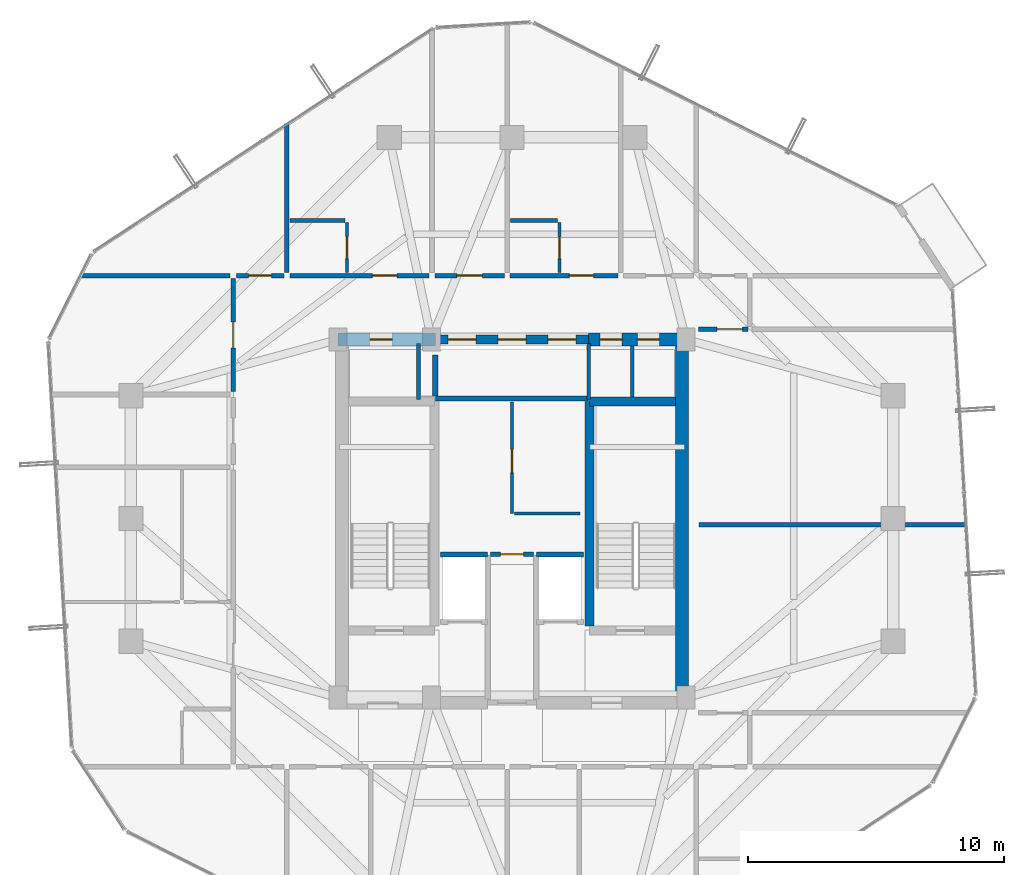
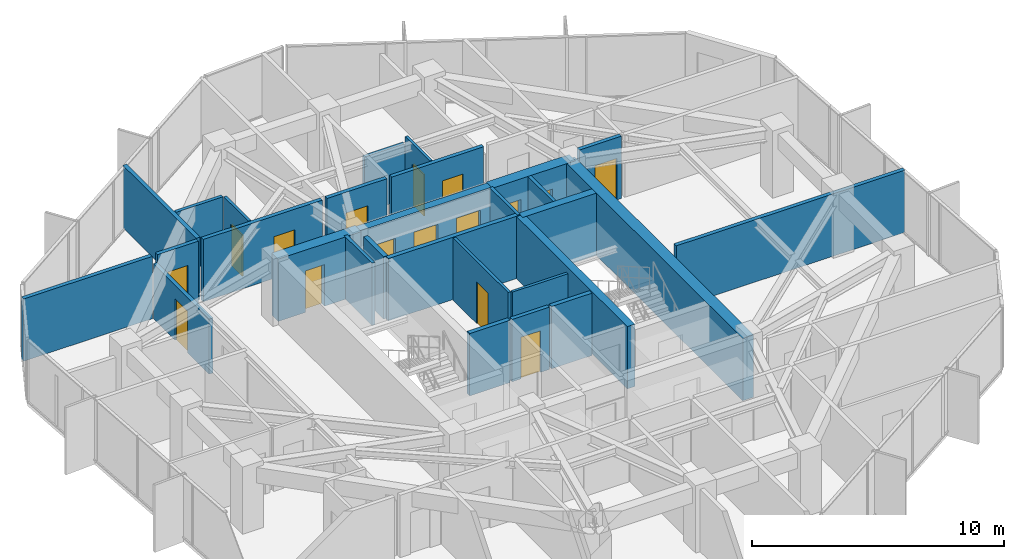
# One storey, part 30 of 33: 29 walls, 16 doors, 16 openings.
"""IFC4 building model written with IfcOpenShell, lengths in metres."""

from ifc_helpers import new_model, si_unit, direction, frame, frame_2d, origin, place, context, subcontext, project, spatial, rectangle, extrude, source, transform, mapped, material, layer, layer_set, type_object, element, fill, save


model = new_model("IFC4")

# Units and contexts
model_context = context("Model", 3, precision=1e-05, world=origin(), true_north=direction((0.0, 1.0)))
body_context = subcontext(model_context, "Body", "Model", "MODEL_VIEW")
ifc_project = project(units=[si_unit("LENGTHUNIT", "METRE"), si_unit("AREAUNIT", "SQUARE_METRE"), si_unit("VOLUMEUNIT", "CUBIC_METRE"), si_unit("PLANEANGLEUNIT", "RADIAN"), si_unit("MASSUNIT", "GRAM", prefix="KILO")], contexts=[model_context])

# Site, building, storey
site_placement = place(None, origin())
site = spatial("IfcSite", under=ifc_project, at=site_placement, CompositionType="ELEMENT")
building_placement = place(site_placement, origin())
building = spatial("IfcBuilding", under=site, at=building_placement, Name="Veraguas Prism Commons", CompositionType="ELEMENT")
storey_placement = place(building_placement, frame((0.0, 0.0, 195.10009765625)))
storey = spatial("IfcBuildingStorey", under=building, at=storey_placement, Name="L55", CompositionType="ELEMENT", Elevation=195.10009765625)

# Wall, openings, doors
ifc_material_1 = material(Name="Concrete C50/60", Category="concrete")
ifc_layer_1 = layer(ifc_material_1, 0.35009765625, Name="Core Internal Shear Wall Upper RC 350", Category="concrete")
ifc_layer_set_1 = layer_set([ifc_layer_1], Name="Concrete C50/60")
wall_type_1 = type_object("IfcWallType", Name="Core Internal Shear Wall Upper RC 350", PredefinedType="SHEAR", material=ifc_layer_set_1)
wall_1_placement = place(storey_placement, frame((21.0, 31.0, 0.0), z_axis=(0.0, 0.0, 1.0), x_axis=(1.0, 0.0, 0.0)))
wall_1 = element("IfcWall", 1, at=wall_1_placement, inside=storey, type_object=wall_type_1, Name="High-Rise Lift Bank Front Shear Wall L55", PredefinedType="SHEAR", context=body_context, shape_type="SweptSolid", body=[
    extrude(rectangle(XDim=6.0, YDim=0.35009765625, at=frame_2d((3.0, 0.0))), origin(), (0.0, 0.0, 1.0), 3.014892578125),
])
opening_1_placement = place(wall_1_placement, frame((0.5, 0.0, 0.0)))
opening_1 = element("IfcOpeningElement", 2, at=opening_1_placement, cuts=wall_1, Name="Opening LD-01", PredefinedType="OPENING", context=body_context, shape_type="SweptSolid", body=[
    extrude(rectangle(XDim=1.10009765625, YDim=2.080078125, at=frame_2d((0.550048828125, 1.0400390625))), frame((0.0, 0.18505859375, 0.0), z_axis=(0.0, -1.0, 0.0), x_axis=(1.0, 0.0, 0.0)), (0.0, 0.0, 1.0), 0.3701171875),
])
opening_2_placement = place(wall_1_placement, frame((2.449951171875, 0.0, 0.0)))
opening_2 = element("IfcOpeningElement", 3, at=opening_2_placement, cuts=wall_1, Name="Opening LD-01", PredefinedType="OPENING", context=body_context, shape_type="SweptSolid", body=[
    extrude(rectangle(XDim=1.10009765625, YDim=2.080078125, at=frame_2d((0.550048828125, 1.0400390625))), frame((0.0, 0.18505859375, 0.0), z_axis=(0.0, -1.0, 0.0), x_axis=(1.0, 0.0, 0.0)), (0.0, 0.0, 1.0), 0.3701171875),
])
opening_3_placement = place(wall_1_placement, frame((4.39990234375, 0.0, 0.0)))
opening_3 = element("IfcOpeningElement", 4, at=opening_3_placement, cuts=wall_1, Name="Opening LD-01", PredefinedType="OPENING", context=body_context, shape_type="SweptSolid", body=[
    extrude(rectangle(XDim=1.10009765625, YDim=2.080078125, at=frame_2d((0.550048828125, 1.0400390625))), frame((0.0, 0.18505859375, 0.0), z_axis=(0.0, -1.0, 0.0), x_axis=(1.0, 0.0, 0.0)), (0.0, 0.0, 1.0), 0.3701171875),
])
ifc_material_2 = material(Name="Stainless steel AISI 316", Category="steel")
door_type_1 = type_object("IfcDoorType", Name="Passenger Lift Sliding Landing Door 1100x2080", OperationType="NOTDEFINED", PredefinedType="DOOR", material=ifc_material_2)
shared_shape_1 = source(origin(), body_context, "Body", "SweptSolid", [
    extrude(rectangle(XDim=1.10009765625, YDim=2.080078125, at=frame_2d((0.550048828125, 1.0400390625))), frame((0.0, 0.02490234375, 0.0), z_axis=(0.0, -1.0, 0.0), x_axis=(1.0, 0.0, 0.0)), (0.0, 0.0, 1.0), 0.050048828125),
])
door_1_placement = place(opening_1_placement, origin())
door_1 = element("IfcDoor", 5, at=door_1_placement, inside=storey, type_object=door_type_1, Name="Sliding Landing Door PL-H1 L55", OperationType="SLIDING_TO_LEFT", OverallHeight=2.080078125, OverallWidth=1.10009765625, PredefinedType="DOOR", context=body_context, shape_type="MappedRepresentation", body=[
    mapped(shared_shape_1, transform((0.0, 0.0, 0.0), scale=1.0)),
])
fill(opening_1, door_1)
door_2_placement = place(opening_2_placement, origin())
door_2 = element("IfcDoor", 6, at=door_2_placement, inside=storey, type_object=door_type_1, Name="Sliding Landing Door PL-H2 L55", OperationType="SLIDING_TO_LEFT", OverallHeight=2.080078125, OverallWidth=1.10009765625, PredefinedType="DOOR", context=body_context, shape_type="MappedRepresentation", body=[
    mapped(shared_shape_1, transform((0.0, 0.0, 0.0), scale=1.0)),
])
fill(opening_2, door_2)
door_3_placement = place(opening_3_placement, origin())
door_3 = element("IfcDoor", 7, at=door_3_placement, inside=storey, type_object=door_type_1, Name="Sliding Landing Door PL-H3 L55", OperationType="SLIDING_TO_LEFT", OverallHeight=2.080078125, OverallWidth=1.10009765625, PredefinedType="DOOR", context=body_context, shape_type="MappedRepresentation", body=[
    mapped(shared_shape_1, transform((0.0, 0.0, 0.0), scale=1.0)),
])
fill(opening_3, door_3)

# Walls
wall_2_placement = place(storey_placement, frame((27.02490234375, 19.800048828125, 0.0), z_axis=(0.0, 0.0, 1.0), x_axis=(0.0, 1.0, 0.0)))
element("IfcWall", 8, at=wall_2_placement, inside=storey, type_object=wall_type_1, Name="Stair ST-02 Inner Shear Wall L55", PredefinedType="SHEAR", context=body_context, shape_type="SweptSolid", body=[
    extrude(rectangle(XDim=8.77490234375, YDim=0.35009765625, at=frame_2d((4.387451171875, 0.0))), origin(), (0.0, 0.0, 1.0), 3.014892578125),
])
wall_3_placement = place(storey_placement, frame((27.02490234375, 28.574951171875, 0.0), z_axis=(0.0, 0.0, 1.0), x_axis=(1.0, 0.0, 0.0)))
element("IfcWall", 9, at=wall_3_placement, inside=storey, type_object=wall_type_1, Name="Stair ST-02 North Shear Wall L55", PredefinedType="SHEAR", context=body_context, shape_type="SweptSolid", body=[
    extrude(rectangle(XDim=3.375, YDim=0.35009765625, at=frame_2d((1.6875, 0.0))), origin(), (0.0, 0.0, 1.0), 3.014892578125),
])
ifc_layer_2 = layer(ifc_material_1, 0.5, Name="Core Outer Shear Wall Upper RC 500", Category="concrete")
ifc_layer_set_2 = layer_set([ifc_layer_2], Name="Concrete C50/60")
wall_type_2 = type_object("IfcWallType", Name="Core Outer Shear Wall Upper RC 500", PredefinedType="SHEAR", material=ifc_layer_set_2)
wall_4_placement = place(storey_placement, frame((30.64990234375, 16.800048828125, 0.0), z_axis=(0.0, 0.0, 1.0), x_axis=(0.0, 1.0, 0.0)))
element("IfcWall", 10, at=wall_4_placement, inside=storey, type_object=wall_type_2, Name="Central Core East Shear Wall L55", PredefinedType="SHEAR", context=body_context, shape_type="SweptSolid", body=[
    extrude(rectangle(XDim=14.199951171875, YDim=0.5, at=frame_2d((7.10009765625, 0.0))), origin(), (0.0, 0.0, 1.0), 3.014892578125),
])

# Wall, opening, door
wall_5_placement = place(storey_placement, frame((17.199951171875, 31.0, 0.0), z_axis=(0.0, 0.0, 1.0), x_axis=(1.0, 0.0, 0.0)))
wall_5 = element("IfcWall", 11, at=wall_5_placement, inside=storey, type_object=wall_type_2, Name="Central Core North-West Shear Wall L55", PredefinedType="SHEAR", context=body_context, shape_type="SweptSolid", body=[
    extrude(rectangle(XDim=3.800048828125, YDim=0.5, at=frame_2d((1.89990234375, 0.0))), origin(), (0.0, 0.0, 1.0), 3.014892578125),
])
opening_4_placement = place(wall_5_placement, frame((1.25, 0.0, 0.0)))
opening_4 = element("IfcOpeningElement", 12, at=opening_4_placement, cuts=wall_5, Name="Opening DR-12", PredefinedType="OPENING", context=body_context, shape_type="SweptSolid", body=[
    extrude(rectangle(XDim=0.860107421875, YDim=2.010009765625, at=frame_2d((0.43017578125, 1.0048828125))), frame((0.0, 0.260009765625, 0.0), z_axis=(0.0, -1.0, 0.0), x_axis=(1.0, 0.0, 0.0)), (0.0, 0.0, 1.0), 0.52001953125),
])
ifc_material_3 = material(Name="Steel fire-rated door assembly", Category="steel")
door_type_2 = type_object("IfcDoorType", Name="Core WC Fire Door 860x2010", OperationType="NOTDEFINED", PredefinedType="DOOR", material=ifc_material_3)
shared_shape_2 = source(origin(), body_context, "Body", "SweptSolid", [
    extrude(rectangle(XDim=0.860107421875, YDim=2.010009765625, at=frame_2d((0.43017578125, 1.0048828125))), frame((0.0, 0.02490234375, 0.0), z_axis=(0.0, -1.0, 0.0), x_axis=(1.0, 0.0, 0.0)), (0.0, 0.0, 1.0), 0.050048828125),
])
door_4_placement = place(opening_4_placement, origin())
door_4 = element("IfcDoor", 13, at=door_4_placement, inside=storey, type_object=door_type_2, Name="Core NW Service Door L55", OperationType="SINGLE_SWING_RIGHT", OverallHeight=2.010009765625, OverallWidth=0.860107421875, PredefinedType="DOOR", context=body_context, shape_type="MappedRepresentation", body=[
    mapped(shared_shape_2, transform((0.0, 0.0, 0.0), scale=1.0)),
])
fill(opening_4, door_4)

# Wall, openings, doors
wall_6_placement = place(storey_placement, frame((27.0, 31.0, 0.0), z_axis=(0.0, 0.0, 1.0), x_axis=(1.0, 0.0, 0.0)))
wall_6 = element("IfcWall", 14, at=wall_6_placement, inside=storey, type_object=wall_type_2, Name="Central Core North-East Shear Wall L55", PredefinedType="SHEAR", context=body_context, shape_type="SweptSolid", body=[
    extrude(rectangle(XDim=3.800048828125, YDim=0.5, at=frame_2d((1.89990234375, 0.0))), origin(), (0.0, 0.0, 1.0), 3.014892578125),
])
opening_5_placement = place(wall_6_placement, frame((0.449951171875, 0.0, 0.0)))
opening_5 = element("IfcOpeningElement", 15, at=opening_5_placement, cuts=wall_6, Name="Opening DR-12", PredefinedType="OPENING", context=body_context, shape_type="SweptSolid", body=[
    extrude(rectangle(XDim=0.860107421875, YDim=2.010009765625, at=frame_2d((0.43017578125, 1.0048828125))), frame((0.0, 0.260009765625, 0.0), z_axis=(0.0, -1.0, 0.0), x_axis=(1.0, 0.0, 0.0)), (0.0, 0.0, 1.0), 0.52001953125),
])
opening_6_placement = place(wall_6_placement, frame((1.89990234375, 0.0, 0.0)))
opening_6 = element("IfcOpeningElement", 16, at=opening_6_placement, cuts=wall_6, Name="Opening DR-12", PredefinedType="OPENING", context=body_context, shape_type="SweptSolid", body=[
    extrude(rectangle(XDim=0.860107421875, YDim=2.010009765625, at=frame_2d((0.43017578125, 1.0048828125))), frame((0.0, 0.260009765625, 0.0), z_axis=(0.0, -1.0, 0.0), x_axis=(1.0, 0.0, 0.0)), (0.0, 0.0, 1.0), 0.52001953125),
])
door_5_placement = place(opening_5_placement, origin())
door_5 = element("IfcDoor", 17, at=door_5_placement, inside=storey, type_object=door_type_2, Name="Core NE Room A Door L55", OperationType="SINGLE_SWING_LEFT", OverallHeight=2.010009765625, OverallWidth=0.860107421875, PredefinedType="DOOR", context=body_context, shape_type="MappedRepresentation", body=[
    mapped(shared_shape_2, transform((0.0, 0.0, 0.0), scale=1.0)),
])
fill(opening_5, door_5)
door_6_placement = place(opening_6_placement, origin())
door_6 = element("IfcDoor", 18, at=door_6_placement, inside=storey, type_object=door_type_2, Name="Core NE Room B Door L55", OperationType="SINGLE_SWING_RIGHT", OverallHeight=2.010009765625, OverallWidth=0.860107421875, PredefinedType="DOOR", context=body_context, shape_type="MappedRepresentation", body=[
    mapped(shared_shape_2, transform((0.0, 0.0, 0.0), scale=1.0)),
])
fill(opening_6, door_6)

# Wall, opening, door
ifc_material_4 = material(Name="Autoclaved aerated masonry block 10 MPa", Category="masonry")
ifc_layer_3 = layer(ifc_material_4, 0.179931640625, Name="Corridor and Inter-Tenancy Partition 180", Category="masonry")
ifc_layer_set_3 = layer_set([ifc_layer_3], Name="Autoclaved aerated masonry block 10 MPa")
wall_type_3 = type_object("IfcWallType", Name="Corridor and Inter-Tenancy Partition 180", PredefinedType="PARTITIONING", material=ifc_layer_set_3)
wall_7_placement = place(storey_placement, frame((23.14990234375, 22.60009765625, 0.0), z_axis=(0.0, 0.0, 1.0), x_axis=(1.0, 0.0, 0.0)))
wall_7 = element("IfcWall", 19, at=wall_7_placement, inside=storey, type_object=wall_type_3, Name="Core Suite Entry Wall L55", PredefinedType="PARTITIONING", context=body_context, shape_type="SweptSolid", body=[
    extrude(rectangle(XDim=1.7001953125, YDim=0.179931640625, at=frame_2d((0.85009765625, 0.0))), origin(), (0.0, 0.0, 1.0), 3.014892578125),
])
opening_7_placement = place(wall_7_placement, frame((0.39990234375, 0.0, 0.0)))
opening_7 = element("IfcOpeningElement", 20, at=opening_7_placement, cuts=wall_7, Name="Opening DR-14", PredefinedType="OPENING", context=body_context, shape_type="SweptSolid", body=[
    extrude(rectangle(XDim=0.89990234375, YDim=2.010009765625, at=frame_2d((0.449951171875, 1.0048828125))), frame((0.0, 0.099853515625, 0.0), z_axis=(0.0, -1.0, 0.0), x_axis=(1.0, 0.0, 0.0)), (0.0, 0.0, 1.0), 0.199951171875),
])
door_type_3 = type_object("IfcDoorType", Name="Core Service Room Fire Door 900x2010", OperationType="NOTDEFINED", PredefinedType="DOOR", material=ifc_material_3)
shared_shape_3 = source(origin(), body_context, "Body", "SweptSolid", [
    extrude(rectangle(XDim=0.89990234375, YDim=2.010009765625, at=frame_2d((0.449951171875, 1.0048828125))), frame((0.0, 0.02490234375, 0.0), z_axis=(0.0, -1.0, 0.0), x_axis=(1.0, 0.0, 0.0)), (0.0, 0.0, 1.0), 0.050048828125),
])
door_7_placement = place(opening_7_placement, origin())
door_7 = element("IfcDoor", 21, at=door_7_placement, inside=storey, type_object=door_type_3, Name="Core Suite Entry Door L55", OperationType="SINGLE_SWING_LEFT", OverallHeight=2.010009765625, OverallWidth=0.89990234375, PredefinedType="DOOR", context=body_context, shape_type="MappedRepresentation", body=[
    mapped(shared_shape_3, transform((0.0, 0.0, 0.0), scale=1.0)),
])
fill(opening_7, door_7)

# Wall
wall_8_placement = place(storey_placement, frame((15.199951171875, 33.6201171875, 0.0), z_axis=(0.0, 0.0, 1.0), x_axis=(0.0, 1.0, 0.0)))
element("IfcWall", 22, at=wall_8_placement, inside=storey, type_object=wall_type_3, Name="WL-L55-PT010", PredefinedType="PARTITIONING", context=body_context, shape_type="SweptSolid", body=[
    extrude(rectangle(XDim=5.8251953125, YDim=0.179931640625, at=frame_2d((2.91259765625, 0.0))), origin(), (0.0, 0.0, 1.0), 3.014892578125),
])

# Wall, opening, door
wall_9_placement = place(storey_placement, frame((20.97998046875, 33.5, 0.0), z_axis=(0.0, 0.0, 1.0), x_axis=(1.0, 0.0, 0.0)))
wall_9 = element("IfcWall", 23, at=wall_9_placement, inside=storey, type_object=wall_type_3, Name="WL-L55-PT012", PredefinedType="PARTITIONING", context=body_context, shape_type="SweptSolid", body=[
    extrude(rectangle(XDim=2.72998046875, YDim=0.179931640625, at=frame_2d((1.364990234375, 0.0))), origin(), (0.0, 0.0, 1.0), 3.014892578125),
])
opening_8_placement = place(wall_9_placement, frame((0.864990234375, 0.0, 0.0)))
opening_8 = element("IfcOpeningElement", 24, at=opening_8_placement, cuts=wall_9, Name="Opening DR-13", PredefinedType="OPENING", context=body_context, shape_type="SweptSolid", body=[
    extrude(rectangle(XDim=1.0, YDim=2.010009765625, at=frame_2d((0.5, 1.0048828125))), frame((0.0, 0.099853515625, 0.0), z_axis=(0.0, -1.0, 0.0), x_axis=(1.0, 0.0, 0.0)), (0.0, 0.0, 1.0), 0.199951171875),
])
door_type_4 = type_object("IfcDoorType", Name="Core Accessible WC and Clinic Fire Door 1000x2010", OperationType="NOTDEFINED", PredefinedType="DOOR", material=ifc_material_3)
shared_shape_4 = source(origin(), body_context, "Body", "SweptSolid", [
    extrude(rectangle(XDim=1.0, YDim=2.010009765625, at=frame_2d((0.5, 1.0048828125))), frame((0.0, 0.02490234375, 0.0), z_axis=(0.0, -1.0, 0.0), x_axis=(1.0, 0.0, 0.0)), (0.0, 0.0, 1.0), 0.050048828125),
])
door_8_placement = place(opening_8_placement, origin())
door_8 = element("IfcDoor", 25, at=door_8_placement, inside=storey, type_object=door_type_4, Name="Quiet Study N Door", OperationType="SINGLE_SWING_LEFT", OverallHeight=2.010009765625, OverallWidth=1.0, PredefinedType="DOOR", context=body_context, shape_type="MappedRepresentation", body=[
    mapped(shared_shape_4, transform((0.0, 0.0, 0.0), scale=1.0)),
])
fill(opening_8, door_8)

wall_10_placement = place(storey_placement, frame((15.31005859375, 33.5, 0.0), z_axis=(0.0, 0.0, 1.0), x_axis=(1.0, 0.0, 0.0)))
wall_10 = element("IfcWall", 26, at=wall_10_placement, inside=storey, type_object=wall_type_3, Name="WL-L55-PT014", PredefinedType="PARTITIONING", context=body_context, shape_type="SweptSolid", body=[
    extrude(rectangle(XDim=5.449951171875, YDim=0.179931640625, at=frame_2d((2.72509765625, 0.0))), origin(), (0.0, 0.0, 1.0), 3.014892578125),
])
opening_9_placement = place(wall_10_placement, frame((3.23388671875, 0.0, 0.0)))
opening_9 = element("IfcOpeningElement", 27, at=opening_9_placement, cuts=wall_10, Name="Opening DR-01", PredefinedType="OPENING", context=body_context, shape_type="SweptSolid", body=[
    extrude(rectangle(XDim=0.949951171875, YDim=2.02001953125, at=frame_2d((0.47509765625, 1.010009765625))), frame((0.0, 0.099853515625, 0.0), z_axis=(0.0, -1.0, 0.0), x_axis=(1.0, 0.0, 0.0)), (0.0, 0.0, 1.0), 0.199951171875),
])
ifc_material_5 = material(Name="Anodised aluminium EN AW-6063 T6", Category="aluminium")
door_type_5 = type_object("IfcDoorType", Name="Apartment Entrance Fire Door 950x2020", OperationType="NOTDEFINED", PredefinedType="DOOR", material=ifc_material_5)
shared_shape_5 = source(origin(), body_context, "Body", "SweptSolid", [
    extrude(rectangle(XDim=0.949951171875, YDim=2.02001953125, at=frame_2d((0.47509765625, 1.010009765625))), frame((0.0, 0.02490234375, 0.0), z_axis=(0.0, -1.0, 0.0), x_axis=(1.0, 0.0, 0.0)), (0.0, 0.0, 1.0), 0.050048828125),
])
door_9_placement = place(opening_9_placement, origin())
door_9 = element("IfcDoor", 28, at=door_9_placement, inside=storey, type_object=door_type_5, Name="Studio 55A Entrance Door", OperationType="SINGLE_SWING_RIGHT", OverallHeight=2.02001953125, OverallWidth=0.949951171875, PredefinedType="DOOR", context=body_context, shape_type="MappedRepresentation", body=[
    mapped(shared_shape_5, transform((0.0, 0.0, 0.0), scale=1.0)),
])
fill(opening_9, door_9)

wall_11_placement = place(storey_placement, frame((23.929931640625, 33.5, 0.0), z_axis=(0.0, 0.0, 1.0), x_axis=(1.0, 0.0, 0.0)))
wall_11 = element("IfcWall", 29, at=wall_11_placement, inside=storey, type_object=wall_type_3, Name="WL-L55-PT020", PredefinedType="PARTITIONING", context=body_context, shape_type="SweptSolid", body=[
    extrude(rectangle(XDim=4.2099609375, YDim=0.179931640625, at=frame_2d((2.10498046875, 0.0))), origin(), (0.0, 0.0, 1.0), 3.014892578125),
])
opening_10_placement = place(wall_11_placement, frame((2.31640625, 0.0, 0.0)))
opening_10 = element("IfcOpeningElement", 30, at=opening_10_placement, cuts=wall_11, Name="Opening DR-01", PredefinedType="OPENING", context=body_context, shape_type="SweptSolid", body=[
    extrude(rectangle(XDim=0.949951171875, YDim=2.02001953125, at=frame_2d((0.47509765625, 1.010009765625))), frame((0.0, 0.099853515625, 0.0), z_axis=(0.0, -1.0, 0.0), x_axis=(1.0, 0.0, 0.0)), (0.0, 0.0, 1.0), 0.199951171875),
])
door_10_placement = place(opening_10_placement, origin())
door_10 = element("IfcDoor", 31, at=door_10_placement, inside=storey, type_object=door_type_5, Name="Studio 55B Entrance Door", OperationType="SINGLE_SWING_LEFT", OverallHeight=2.02001953125, OverallWidth=0.949951171875, PredefinedType="DOOR", context=body_context, shape_type="MappedRepresentation", body=[
    mapped(shared_shape_5, transform((0.0, 0.0, 0.0), scale=1.0)),
])
fill(opening_10, door_10)

# Wall
wall_12_placement = place(storey_placement, frame((12.97998046875, 33.5, 0.0), z_axis=(0.0, 0.0, 1.0), x_axis=(-1.0, 0.0, 0.0)))
element("IfcWall", 32, at=wall_12_placement, inside=storey, type_object=wall_type_3, Name="WL-L55-PT024", PredefinedType="PARTITIONING", context=body_context, shape_type="SweptSolid", body=[
    extrude(rectangle(XDim=5.8876953125, YDim=0.179931640625, at=frame_2d((2.94384765625, 0.0))), origin(), (0.0, 0.0, 1.0), 3.014892578125),
])

# Wall, opening, door
wall_13_placement = place(storey_placement, frame((13.10009765625, 28.9619140625, 0.0), z_axis=(0.0, 0.0, 1.0), x_axis=(0.0, 1.0, 0.0)))
wall_13 = element("IfcWall", 33, at=wall_13_placement, inside=storey, type_object=wall_type_3, Name="WL-L55-PT033", PredefinedType="PARTITIONING", context=body_context, shape_type="SweptSolid", body=[
    extrude(rectangle(XDim=4.427978515625, YDim=0.179931640625, at=frame_2d((2.2138671875, 0.0))), origin(), (0.0, 0.0, 1.0), 2.661865234375),
])
opening_11_placement = place(wall_13_placement, frame((1.714111328125, 0.0, 0.0)))
opening_11 = element("IfcOpeningElement", 34, at=opening_11_placement, cuts=wall_13, Name="Opening DR-13", PredefinedType="OPENING", context=body_context, shape_type="SweptSolid", body=[
    extrude(rectangle(XDim=1.0, YDim=2.010009765625, at=frame_2d((0.5, 1.0048828125))), frame((0.0, 0.099853515625, 0.0), z_axis=(0.0, -1.0, 0.0), x_axis=(1.0, 0.0, 0.0)), (0.0, 0.0, 1.0), 0.199951171875),
])
door_11_placement = place(opening_11_placement, origin())
door_11 = element("IfcDoor", 35, at=door_11_placement, inside=storey, type_object=door_type_4, Name="Co-op Store W Door", OperationType="SINGLE_SWING_RIGHT", OverallHeight=2.010009765625, OverallWidth=1.0, PredefinedType="DOOR", context=body_context, shape_type="MappedRepresentation", body=[
    mapped(shared_shape_4, transform((0.0, 0.0, 0.0), scale=1.0)),
])
fill(opening_11, door_11)

# Wall
wall_14_placement = place(storey_placement, frame((31.320068359375, 23.75, 0.0), z_axis=(0.0, 0.0, 1.0), x_axis=(1.0, 0.0, 0.0)))
element("IfcWall", 36, at=wall_14_placement, inside=storey, type_object=wall_type_3, Name="WL-L55-PT035", PredefinedType="PARTITIONING", context=body_context, shape_type="SweptSolid", body=[
    extrude(rectangle(XDim=10.46435546875, YDim=0.179931640625, at=frame_2d((5.232177734375, 0.0))), origin(), (0.0, 0.0, 1.0), 3.014892578125),
])

# Wall, opening, door
wall_15_placement = place(storey_placement, frame((31.300048828125, 31.39990234375, 0.0), z_axis=(0.0, 0.0, 1.0), x_axis=(1.0, 0.0, 0.0)))
wall_15 = element("IfcWall", 37, at=wall_15_placement, inside=storey, type_object=wall_type_3, Name="WL-L55-PT040", PredefinedType="PARTITIONING", context=body_context, shape_type="SweptSolid", body=[
    extrude(rectangle(XDim=1.919921875, YDim=0.179931640625, at=frame_2d((0.9599609375, 0.0))), origin(), (0.0, 0.0, 1.0), 3.014892578125),
])
opening_12_placement = place(wall_15_placement, frame((0.719970703125, 0.0, 0.0)))
opening_12 = element("IfcOpeningElement", 38, at=opening_12_placement, cuts=wall_15, Name="Opening DR-13", PredefinedType="OPENING", context=body_context, shape_type="SweptSolid", body=[
    extrude(rectangle(XDim=1.0, YDim=2.010009765625, at=frame_2d((0.5, 1.0048828125))), frame((0.0, 0.099853515625, 0.0), z_axis=(0.0, -1.0, 0.0), x_axis=(1.0, 0.0, 0.0)), (0.0, 0.0, 1.0), 0.199951171875),
])
door_12_placement = place(opening_12_placement, origin())
door_12 = element("IfcDoor", 39, at=door_12_placement, inside=storey, type_object=door_type_4, Name="Study Salon Door L55", OperationType="SINGLE_SWING_RIGHT", OverallHeight=2.010009765625, OverallWidth=1.0, PredefinedType="DOOR", context=body_context, shape_type="MappedRepresentation", body=[
    mapped(shared_shape_4, transform((0.0, 0.0, 0.0), scale=1.0)),
])
fill(opening_12, door_12)

wall_16_placement = place(storey_placement, frame((13.219970703125, 33.5, 0.0), z_axis=(0.0, 0.0, 1.0), x_axis=(1.0, 0.0, 0.0)))
wall_16 = element("IfcWall", 40, at=wall_16_placement, inside=storey, type_object=wall_type_3, Name="WL-L55-PT046", PredefinedType="PARTITIONING", context=body_context, shape_type="SweptSolid", body=[
    extrude(rectangle(XDim=1.860107421875, YDim=0.179931640625, at=frame_2d((0.93017578125, 0.0))), origin(), (0.0, 0.0, 1.0), 3.014892578125),
])
opening_13_placement = place(wall_16_placement, frame((0.47998046875, 0.0, 0.0)))
opening_13 = element("IfcOpeningElement", 41, at=opening_13_placement, cuts=wall_16, Name="Opening DR-14", PredefinedType="OPENING", context=body_context, shape_type="SweptSolid", body=[
    extrude(rectangle(XDim=0.89990234375, YDim=2.010009765625, at=frame_2d((0.449951171875, 1.0048828125))), frame((0.0, 0.099853515625, 0.0), z_axis=(0.0, -1.0, 0.0), x_axis=(1.0, 0.0, 0.0)), (0.0, 0.0, 1.0), 0.199951171875),
])
door_13_placement = place(opening_13_placement, origin())
door_13 = element("IfcDoor", 42, at=door_13_placement, inside=storey, type_object=door_type_3, Name="Residents Cycle and Pram Store NW Door", OperationType="SINGLE_SWING_RIGHT", OverallHeight=2.010009765625, OverallWidth=0.89990234375, PredefinedType="DOOR", context=body_context, shape_type="MappedRepresentation", body=[
    mapped(shared_shape_3, transform((0.0, 0.0, 0.0), scale=1.0)),
])
fill(opening_13, door_13)

# Wall
ifc_material_6 = material(Name="Lightweight acoustic gypsum board")
ifc_layer_4 = layer(ifc_material_6, 0.125, Name="Internal Apartment Room Partition 125")
ifc_layer_set_4 = layer_set([ifc_layer_4], Name="Lightweight acoustic gypsum board")
wall_type_4 = type_object("IfcWallType", Name="Internal Apartment Room Partition 125", PredefinedType="PARTITIONING", material=ifc_layer_set_4)
wall_17_placement = place(storey_placement, frame((24.10009765625, 24.199951171875, 0.0), z_axis=(0.0, 0.0, 1.0), x_axis=(1.0, 0.0, 0.0)))
element("IfcWall", 43, at=wall_17_placement, inside=storey, type_object=wall_type_4, Name="Telehealth Pod South Wall L55", PredefinedType="PARTITIONING", context=body_context, shape_type="SweptSolid", body=[
    extrude(rectangle(XDim=2.5498046875, YDim=0.125, at=frame_2d((1.27490234375, 0.0))), origin(), (0.0, 0.0, 1.0), 3.014892578125),
])

# Wall, opening, door
wall_18_placement = place(storey_placement, frame((24.0, 24.199951171875, 0.0), z_axis=(0.0, 0.0, 1.0), x_axis=(0.0, 1.0, 0.0)))
wall_18 = element("IfcWall", 44, at=wall_18_placement, inside=storey, type_object=wall_type_4, Name="Telehealth Pod West Wall L55", PredefinedType="PARTITIONING", context=body_context, shape_type="SweptSolid", body=[
    extrude(rectangle(XDim=4.35009765625, YDim=0.125, at=frame_2d((2.175048828125, 0.0))), origin(), (0.0, 0.0, 1.0), 3.014892578125),
])
opening_14_placement = place(wall_18_placement, frame((1.60009765625, 0.0, 0.0)))
opening_14 = element("IfcOpeningElement", 45, at=opening_14_placement, cuts=wall_18, Name="Opening DR-02", PredefinedType="OPENING", context=body_context, shape_type="SweptSolid", body=[
    extrude(rectangle(XDim=0.89990234375, YDim=2.010009765625, at=frame_2d((0.449951171875, 1.0048828125))), frame((0.0, 0.072509765625, 0.0), z_axis=(0.0, -1.0, 0.0), x_axis=(1.0, 0.0, 0.0)), (0.0, 0.0, 1.0), 0.14501953125),
])
ifc_material_7 = material(Name="Timber solid core hardwood", Category="wood")
door_type_6 = type_object("IfcDoorType", Name="Internal Habitable Room Door 900x2010", OperationType="NOTDEFINED", PredefinedType="DOOR", material=ifc_material_7)
door_14_placement = place(opening_14_placement, origin())
door_14 = element("IfcDoor", 46, at=door_14_placement, inside=storey, type_object=door_type_6, Name="Telehealth Pod Door L55", OperationType="SINGLE_SWING_RIGHT", OverallHeight=2.010009765625, OverallWidth=0.89990234375, PredefinedType="DOOR", context=body_context, shape_type="MappedRepresentation", body=[
    mapped(shared_shape_3, transform((0.0, 0.0, 0.0), scale=1.0)),
])
fill(opening_14, door_14)

wall_19_placement = place(storey_placement, frame((17.550048828125, 33.6201171875, 0.0), z_axis=(0.0, 0.0, 1.0), x_axis=(0.0, 1.0, 0.0)))
wall_19 = element("IfcWall", 47, at=wall_19_placement, inside=storey, type_object=wall_type_4, Name="WL-L55-PT015", PredefinedType="PARTITIONING", context=body_context, shape_type="SweptSolid", body=[
    extrude(rectangle(XDim=1.949951171875, YDim=0.125, at=frame_2d((0.97509765625, 0.0))), origin(), (0.0, 0.0, 1.0), 3.014892578125),
])
opening_15_placement = place(wall_19_placement, frame((0.544921875, 0.0, 0.0)))
opening_15 = element("IfcOpeningElement", 48, at=opening_15_placement, cuts=wall_19, Name="Opening DR-03", PredefinedType="OPENING", context=body_context, shape_type="SweptSolid", body=[
    extrude(rectangle(XDim=0.860107421875, YDim=2.010009765625, at=frame_2d((0.43017578125, 1.0048828125))), frame((0.0, 0.072509765625, 0.0), z_axis=(0.0, -1.0, 0.0), x_axis=(1.0, 0.0, 0.0)), (0.0, 0.0, 1.0), 0.14501953125),
])
ifc_material_8 = material(Name="Timber moisture-resistant leaf", Category="wood")
door_type_7 = type_object("IfcDoorType", Name="Internal Bathroom Door 860x2010", OperationType="NOTDEFINED", PredefinedType="DOOR", material=ifc_material_8)
door_15_placement = place(opening_15_placement, origin())
door_15 = element("IfcDoor", 49, at=door_15_placement, inside=storey, type_object=door_type_7, Name="Studio 55A Bathroom Door", OperationType="SINGLE_SWING_LEFT", OverallHeight=2.010009765625, OverallWidth=0.860107421875, PredefinedType="DOOR", context=body_context, shape_type="MappedRepresentation", body=[
    mapped(shared_shape_2, transform((0.0, 0.0, 0.0), scale=1.0)),
])
fill(opening_15, door_15)

wall_20_placement = place(storey_placement, frame((25.85791015625, 33.6201171875, 0.0), z_axis=(0.0, 0.0, 1.0), x_axis=(0.0, 1.0, 0.0)))
wall_20 = element("IfcWall", 50, at=wall_20_placement, inside=storey, type_object=wall_type_4, Name="WL-L55-PT021", PredefinedType="PARTITIONING", context=body_context, shape_type="SweptSolid", body=[
    extrude(rectangle(XDim=1.949951171875, YDim=0.125, at=frame_2d((0.97509765625, 0.0))), origin(), (0.0, 0.0, 1.0), 3.014892578125),
])
opening_16_placement = place(wall_20_placement, frame((0.544921875, 0.0, 0.0)))
opening_16 = element("IfcOpeningElement", 51, at=opening_16_placement, cuts=wall_20, Name="Opening DR-03", PredefinedType="OPENING", context=body_context, shape_type="SweptSolid", body=[
    extrude(rectangle(XDim=0.860107421875, YDim=2.010009765625, at=frame_2d((0.43017578125, 1.0048828125))), frame((0.0, 0.072509765625, 0.0), z_axis=(0.0, -1.0, 0.0), x_axis=(1.0, 0.0, 0.0)), (0.0, 0.0, 1.0), 0.14501953125),
])
door_16_placement = place(opening_16_placement, origin())
door_16 = element("IfcDoor", 52, at=door_16_placement, inside=storey, type_object=door_type_7, Name="Studio 55B Bathroom Door", OperationType="SINGLE_SWING_RIGHT", OverallHeight=2.010009765625, OverallWidth=0.860107421875, PredefinedType="DOOR", context=body_context, shape_type="MappedRepresentation", body=[
    mapped(shared_shape_2, transform((0.0, 0.0, 0.0), scale=1.0)),
])
fill(opening_16, door_16)

# Walls
ifc_layer_5 = layer(ifc_material_4, 0.199951171875, Name="Rated Shaft and Lobby Block Wall 200", Category="masonry")
ifc_layer_set_5 = layer_set([ifc_layer_5], Name="Autoclaved aerated masonry block 10 MPa")
wall_type_5 = type_object("IfcWallType", Name="Rated Shaft and Lobby Block Wall 200", PredefinedType="SOLIDWALL", material=ifc_layer_set_5)
for number, where, z_axis, x_axis, name in (
    (53, (21.199951171875, 22.60009765625, 0.0), (0.0, 0.0, 1.0), (1.0, 0.0, 0.0), "Firefighting Lift FFL-1 Rear Wall L55"),
    (54, (24.949951171875, 22.60009765625, 0.0), (0.0, 0.0, 1.0), (1.0, 0.0, 0.0), "Firefighting Lift FFL-2 Rear Wall L55"),
):
    element("IfcWall", number, at=place(storey_placement, frame(where, z_axis=z_axis, x_axis=x_axis)), inside=storey, type_object=wall_type_5, Name=name, PredefinedType="SOLIDWALL", context=body_context, shape_type="SweptSolid", body=[
        extrude(rectangle(XDim=1.85009765625, YDim=0.199951171875, at=frame_2d((0.925048828125, 0.0))), origin(), (0.0, 0.0, 1.0), 3.014892578125),
    ])
wall_21_placement = place(storey_placement, frame((21.0, 28.699951171875, 0.0), z_axis=(0.0, 0.0, 1.0), x_axis=(1.0, 0.0, 0.0)))
element("IfcWall", 55, at=wall_21_placement, inside=storey, type_object=wall_type_5, Name="High-Rise Lift Bank Rear Shaft Wall L55", PredefinedType="SOLIDWALL", context=body_context, shape_type="SweptSolid", body=[
    extrude(rectangle(XDim=6.0, YDim=0.199951171875, at=frame_2d((3.0, 0.0))), origin(), (0.0, 0.0, 1.0), 3.014892578125),
])
wall_22_placement = place(storey_placement, frame((21.0, 28.800048828125, 0.0), z_axis=(0.0, 0.0, 1.0), x_axis=(0.0, 1.0, 0.0)))
element("IfcWall", 56, at=wall_22_placement, inside=storey, type_object=wall_type_5, Name="High-Rise Lift Bank West Shaft Wall L55", PredefinedType="SOLIDWALL", context=body_context, shape_type="SweptSolid", body=[
    extrude(rectangle(XDim=1.599853515625, YDim=0.199951171875, at=frame_2d((0.7998046875, 0.0))), origin(), (0.0, 0.0, 1.0), 3.014892578125),
])
ifc_layer_6 = layer(ifc_material_6, 0.14990234375, Name="Wet Room and Clinic Acoustic Partition 150")
ifc_layer_set_6 = layer_set([ifc_layer_6], Name="Lightweight acoustic gypsum board")
wall_type_6 = type_object("IfcWallType", Name="Wet Room and Clinic Acoustic Partition 150", PredefinedType="PARTITIONING", material=ifc_layer_set_6)
for number, where, z_axis, x_axis, name in (
    (57, (20.35009765625, 28.64990234375, 0.0), (0.0, 0.0, 1.0), (0.0, 1.0, 0.0), "Core NW Service Inner Wall L55"),
    (58, (27.0, 28.64990234375, 0.0), (0.0, 0.0, 1.0), (0.0, 1.0, 0.0), "Core NE Service Inner Wall L55"),
):
    element("IfcWall", number, at=place(storey_placement, frame(where, z_axis=z_axis, x_axis=x_axis)), inside=storey, type_object=wall_type_6, Name=name, PredefinedType="PARTITIONING", context=body_context, shape_type="SweptSolid", body=[
        extrude(rectangle(XDim=2.2001953125, YDim=0.14990234375, at=frame_2d((1.10009765625, 0.0))), origin(), (0.0, 0.0, 1.0), 3.014892578125),
    ])
wall_23_placement = place(storey_placement, frame((28.699951171875, 28.75, 0.0), z_axis=(0.0, 0.0, 1.0), x_axis=(0.0, 1.0, 0.0)))
element("IfcWall", 59, at=wall_23_placement, inside=storey, type_object=wall_type_6, Name="WL-L55-CSVD1", PredefinedType="PARTITIONING", context=body_context, shape_type="SweptSolid", body=[
    extrude(rectangle(XDim=2.0, YDim=0.14990234375, at=frame_2d((1.0, 0.0))), origin(), (0.0, 0.0, 1.0), 3.014892578125),
])
wall_24_placement = place(storey_placement, frame((15.320068359375, 35.64990234375, 0.0), z_axis=(0.0, 0.0, 1.0), x_axis=(1.0, 0.0, 0.0)))
element("IfcWall", 60, at=wall_24_placement, inside=storey, type_object=wall_type_6, Name="WL-L55-PT016", PredefinedType="PARTITIONING", context=body_context, shape_type="SweptSolid", body=[
    extrude(rectangle(XDim=2.14990234375, YDim=0.14990234375, at=frame_2d((1.074951171875, 0.0))), origin(), (0.0, 0.0, 1.0), 3.014892578125),
])
wall_25_placement = place(storey_placement, frame((23.93994140625, 35.64990234375, 0.0), z_axis=(0.0, 0.0, 1.0), x_axis=(1.0, 0.0, 0.0)))
element("IfcWall", 61, at=wall_25_placement, inside=storey, type_object=wall_type_6, Name="WL-L55-PT022", PredefinedType="PARTITIONING", context=body_context, shape_type="SweptSolid", body=[
    extrude(rectangle(XDim=1.838134765625, YDim=0.14990234375, at=frame_2d((0.9189453125, 0.0))), origin(), (0.0, 0.0, 1.0), 2.661865234375),
])

save(model, "model.ifc")
